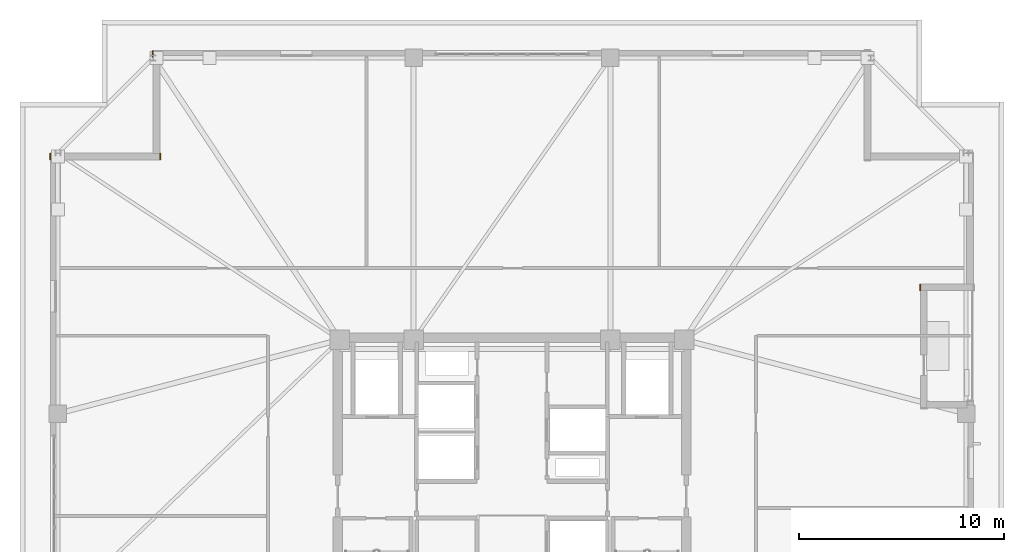
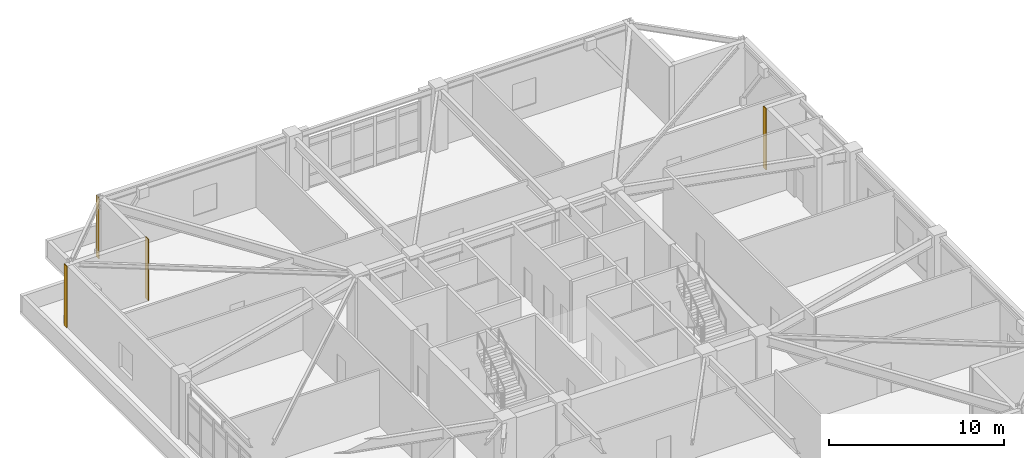
# One storey, part 17 of 18: 4 coverings.
"""IFC4 building model written with IfcOpenShell, lengths in metres."""

from ifc_helpers import new_model, si_unit, direction, frame, frame_2d, origin, place, context, subcontext, project, spatial, rectangle, extrude, material, layer, layer_set, type_object, element, save


model = new_model("IFC4")

# Units and contexts
model_context = context("Model", 3, precision=1e-05, world=origin(), true_north=direction((0.0, 1.0)))
body_context = subcontext(model_context, "Body", "Model", "MODEL_VIEW")
ifc_project = project(units=[si_unit("LENGTHUNIT", "METRE"), si_unit("AREAUNIT", "SQUARE_METRE"), si_unit("VOLUMEUNIT", "CUBIC_METRE"), si_unit("PLANEANGLEUNIT", "RADIAN"), si_unit("MASSUNIT", "GRAM", prefix="KILO")], contexts=[model_context])

# Site, building, storey
site_placement = place(None, origin())
site = spatial("IfcSite", under=ifc_project, at=site_placement, CompositionType="ELEMENT")
building_placement = place(site_placement, origin())
building = spatial("IfcBuilding", under=site, at=building_placement, Name="Cairnveth Concourse Tower", CompositionType="ELEMENT")
storey_placement = place(building_placement, frame((0.0, 0.0, 198.0)))
storey = spatial("IfcBuildingStorey", under=building, at=storey_placement, Name="L54", CompositionType="ELEMENT", Elevation=198.0)

# Coverings
ifc_material = material(Name="Dressed Melbourne Bluestone Cladding", Category="masonry")
ifc_layer = layer(ifc_material, 0.050048828125)
ifc_layer_set = layer_set([ifc_layer], Name="Dressed Melbourne Bluestone Cladding")
covering_type = type_object("IfcCoveringType", Name="DRESSED BLUESTONE PLINTH CLADDING 50", PredefinedType="CLADDING", material=ifc_layer_set)
for number, where, z_axis, x_axis, name in (
    (1, (29.47998046875, 56.179931640625, 0.0), (0.0, 0.0, 1.0), (0.0, 1.0, 0.0), "Melbourne Bluestone Corner Quoin L54-806"),
    (2, (34.840087890625, 56.179931640625, 0.0), (0.0, 0.0, 1.0), (0.0, 1.0, 0.0), "Melbourne Bluestone Corner Quoin L54-807"),
    (3, (34.47998046875, 61.179931640625, 0.0), (0.0, 0.0, 1.0), (0.0, 1.0, 0.0), "Melbourne Bluestone Corner Quoin L54-808"),
    (4, (71.909912109375, 50.1201171875, 0.0), (0.0, 0.0, 1.0), (0.0, -1.0, 0.0), "Melbourne Bluestone Corner Quoin L54-813"),
):
    element("IfcCovering", number, at=place(storey_placement, frame(where, z_axis=z_axis, x_axis=x_axis)), inside=storey, type_object=covering_type, Name=name, PredefinedType="CLADDING", context=body_context, shape_type="SweptSolid", body=[
        extrude(rectangle(XDim=0.320068359375, YDim=0.050048828125, at=frame_2d((0.16015625, 0.0))), origin(), (0.0, 0.0, 1.0), 4.2900390625),
    ])

save(model, "model.ifc")
